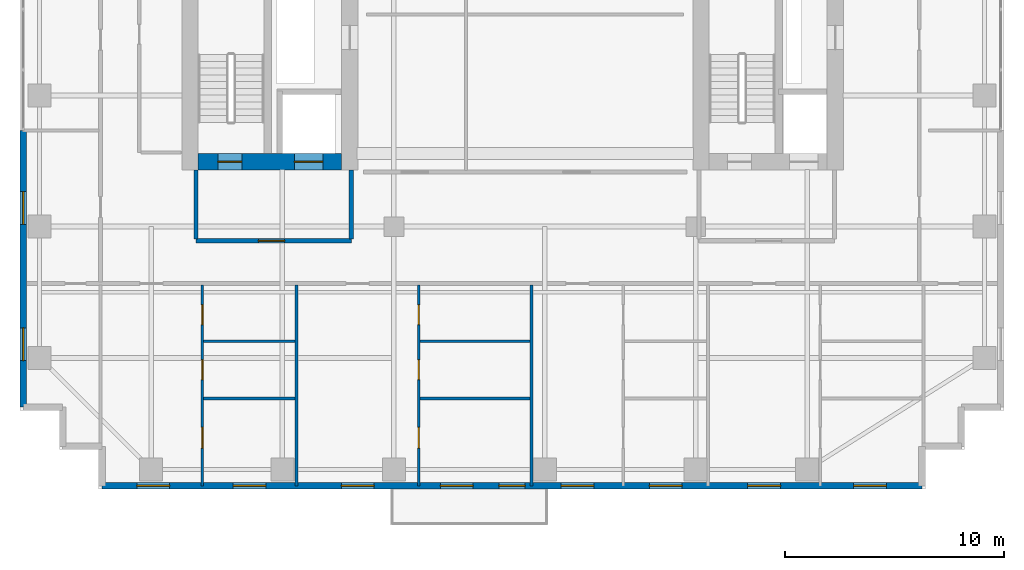
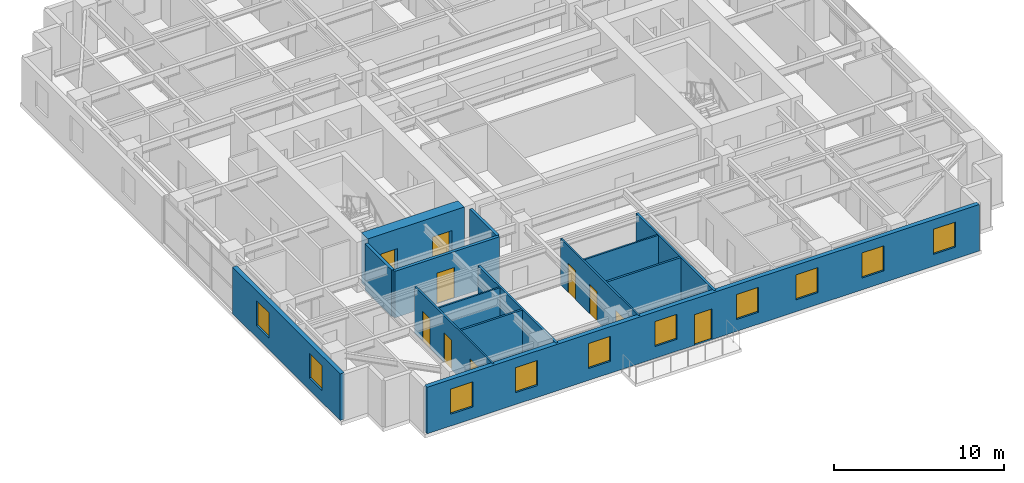
# One storey, part 8 of 15: 14 walls, 10 doors, 10 windows, 20 openings.
"""IFC4 building model written with IfcOpenShell, lengths in metres."""

from ifc_helpers import new_model, si_unit, direction, frame, frame_2d, origin, place, context, subcontext, project, spatial, rectangle, extrude, source, transform, mapped, material, layer, layer_set, type_object, element, fill, save


model = new_model("IFC4")

# Units and contexts
model_context = context("Model", 3, precision=1e-05, world=origin(), true_north=direction((0.0, 1.0)))
body_context = subcontext(model_context, "Body", "Model", "MODEL_VIEW")
ifc_project = project(units=[si_unit("LENGTHUNIT", "METRE"), si_unit("AREAUNIT", "SQUARE_METRE"), si_unit("VOLUMEUNIT", "CUBIC_METRE"), si_unit("PLANEANGLEUNIT", "RADIAN"), si_unit("MASSUNIT", "GRAM", prefix="KILO")], contexts=[model_context])

# Site, building, storey
site_placement = place(None, origin())
site = spatial("IfcSite", under=ifc_project, at=site_placement, CompositionType="ELEMENT")
building_placement = place(site_placement, origin())
building = spatial("IfcBuilding", under=site, at=building_placement, Name="Khoralis Quay Care Tower", CompositionType="ELEMENT")
storey_placement = place(building_placement, frame((0.0, 0.0, 123.300048828125)))
storey = spatial("IfcBuildingStorey", under=building, at=storey_placement, Name="L32", CompositionType="ELEMENT", Elevation=123.300048828125)

# Wall, opening, door
ifc_material_1 = material(Name="Gypsum plasterboard on acoustic metal stud")
ifc_layer_1 = layer(ifc_material_1, 0.199951171875)
ifc_layer_set_1 = layer_set([ifc_layer_1], Name="Gypsum plasterboard on acoustic metal stud")
wall_type_1 = type_object("IfcWallType", Name="WL-COMP-200", PredefinedType="PARTITIONING", material=ifc_layer_set_1)
wall_1_placement = place(storey_placement, frame((8.050048828125, 11.35009765625, 0.0), z_axis=(0.0, 0.0, 1.0), x_axis=(1.0, 0.0, 0.0)))
wall_1 = element("IfcWall", 1, at=wall_1_placement, inside=storey, type_object=wall_type_1, Name="L32 West Firefighting Lobby South Wall", PredefinedType="PARTITIONING", context=body_context, shape_type="SweptSolid", body=[
    extrude(rectangle(XDim=7.099853515625, YDim=0.199951171875, at=frame_2d((3.5498046875, 0.0))), origin(), (0.0, 0.0, 1.0), 3.33984375),
])
opening_1_placement = place(wall_1_placement, frame((2.846435546875, 0.0, 0.0)))
opening_1 = element("IfcOpeningElement", 2, at=opening_1_placement, cuts=wall_1, Name="Opening FD1", PredefinedType="OPENING", context=body_context, shape_type="SweptSolid", body=[
    extrude(rectangle(XDim=1.199951171875, YDim=2.199951171875, at=frame_2d((0.60009765625, 1.10009765625))), frame((0.0, 0.10986328125, 0.0), z_axis=(0.0, -1.0, 0.0), x_axis=(1.0, 0.0, 0.0)), (0.0, 0.0, 1.0), 0.219970703125),
])
ifc_material_2 = material(Name="Fire-rated painted steel", Category="steel")
door_type_1 = type_object("IfcDoorType", Name="DR-FFL-1200X2200", OperationType="NOTDEFINED", PredefinedType="DOOR", material=ifc_material_2)
shared_shape_1 = source(origin(), body_context, "Body", "SweptSolid", [
    extrude(rectangle(XDim=1.199951171875, YDim=2.199951171875, at=frame_2d((0.60009765625, 1.10009765625))), frame((0.0, 0.02490234375, 0.0), z_axis=(0.0, -1.0, 0.0), x_axis=(1.0, 0.0, 0.0)), (0.0, 0.0, 1.0), 0.050048828125),
])
door_1_placement = place(opening_1_placement, origin())
door_1 = element("IfcDoor", 3, at=door_1_placement, inside=storey, type_object=door_type_1, Name="L32 West Firefighting Lobby Fire Door", OperationType="SINGLE_SWING_RIGHT", OverallHeight=2.199951171875, OverallWidth=1.199951171875, PredefinedType="DOOR", context=body_context, shape_type="MappedRepresentation", body=[
    mapped(shared_shape_1, transform((0.0, 0.0, 0.0), scale=1.0)),
])
fill(opening_1, door_1)

# Walls
for number, where, z_axis, x_axis, name in (
    (4, (8.050048828125, 11.445068359375, 0.0), (0.0, 0.0, 1.0), (0.0, 1.0, 0.0), "L32 West Firefighting Lobby West Wall"),
    (5, (15.14990234375, 11.445068359375, 0.0), (0.0, 0.0, 1.0), (0.0, 1.0, 0.0), "L32 West Firefighting Lobby East Wall"),
):
    element("IfcWall", number, at=place(storey_placement, frame(where, z_axis=z_axis, x_axis=x_axis)), inside=storey, type_object=wall_type_1, Name=name, PredefinedType="PARTITIONING", context=body_context, shape_type="SweptSolid", body=[
        extrude(rectangle(XDim=3.135009765625, YDim=0.199951171875, at=frame_2d((1.5673828125, 0.0))), origin(), (0.0, 0.0, 1.0), 3.33984375),
    ])

# Wall, openings, doors
ifc_material_3 = material(Name="Concrete C80/95", Category="concrete")
ifc_layer_2 = layer(ifc_material_3, 0.75)
ifc_layer_set_2 = layer_set([ifc_layer_2], Name="Concrete C80/95")
wall_type_2 = type_object("IfcWallType", Name="WL-CORE-750", PredefinedType="SHEAR", material=ifc_layer_set_2)
wall_2_placement = place(storey_placement, frame((8.14990234375, 14.97509765625, 0.0), z_axis=(0.0, 0.0, 1.0), x_axis=(1.0, 0.0, 0.0)))
wall_2 = element("IfcWall", 6, at=wall_2_placement, inside=storey, type_object=wall_type_2, Name="L32 WCORE South Shear Wall", PredefinedType="SHEAR", context=body_context, shape_type="SweptSolid", body=[
    extrude(rectangle(XDim=6.550048828125, YDim=0.75, at=frame_2d((3.27490234375, 0.0))), origin(), (0.0, 0.0, 1.0), 3.599853515625),
])
opening_2_placement = place(wall_2_placement, frame((0.89990234375, 0.0, 0.0)))
opening_2 = element("IfcOpeningElement", 7, at=opening_2_placement, cuts=wall_2, Name="Opening SD1", PredefinedType="OPENING", context=body_context, shape_type="SweptSolid", body=[
    extrude(rectangle(XDim=1.10009765625, YDim=2.199951171875, at=frame_2d((0.550048828125, 1.10009765625))), frame((0.0, 0.385009765625, 0.0), z_axis=(0.0, -1.0, 0.0), x_axis=(1.0, 0.0, 0.0)), (0.0, 0.0, 1.0), 0.77001953125),
])
opening_3_placement = place(wall_2_placement, frame((4.39990234375, 0.0, 0.0)))
opening_3 = element("IfcOpeningElement", 8, at=opening_3_placement, cuts=wall_2, Name="Opening LD2", PredefinedType="OPENING", context=body_context, shape_type="SweptSolid", body=[
    extrude(rectangle(XDim=1.300048828125, YDim=2.199951171875, at=frame_2d((0.64990234375, 1.10009765625))), frame((0.0, 0.385009765625, 0.0), z_axis=(0.0, -1.0, 0.0), x_axis=(1.0, 0.0, 0.0)), (0.0, 0.0, 1.0), 0.77001953125),
])
door_type_2 = type_object("IfcDoorType", Name="DR-STAIR-1100X2200", OperationType="NOTDEFINED", PredefinedType="DOOR", material=ifc_material_2)
shared_shape_2 = source(origin(), body_context, "Body", "SweptSolid", [
    extrude(rectangle(XDim=1.10009765625, YDim=2.199951171875, at=frame_2d((0.550048828125, 1.10009765625))), frame((0.0, 0.02490234375, 0.0), z_axis=(0.0, -1.0, 0.0), x_axis=(1.0, 0.0, 0.0)), (0.0, 0.0, 1.0), 0.050048828125),
])
door_2_placement = place(opening_2_placement, origin())
door_2 = element("IfcDoor", 9, at=door_2_placement, inside=storey, type_object=door_type_2, Name="L32 Stair ST-T1 Fire Door", OperationType="SINGLE_SWING_RIGHT", OverallHeight=2.199951171875, OverallWidth=1.10009765625, PredefinedType="DOOR", context=body_context, shape_type="MappedRepresentation", body=[
    mapped(shared_shape_2, transform((0.0, 0.0, 0.0), scale=1.0)),
])
fill(opening_2, door_2)
ifc_material_4 = material(Name="Brushed stainless steel", Category="steel")
door_type_3 = type_object("IfcDoorType", Name="DR-LIFT-1300X2200", OperationType="SLIDING_TO_RIGHT", PredefinedType="DOOR", material=ifc_material_4)
shared_shape_3 = source(origin(), body_context, "Body", "SweptSolid", [
    extrude(rectangle(XDim=1.300048828125, YDim=2.199951171875, at=frame_2d((0.64990234375, 1.10009765625))), frame((0.0, 0.02490234375, 0.0), z_axis=(0.0, -1.0, 0.0), x_axis=(1.0, 0.0, 0.0)), (0.0, 0.0, 1.0), 0.050048828125),
])
door_3_placement = place(opening_3_placement, origin())
door_3 = element("IfcDoor", 10, at=door_3_placement, inside=storey, type_object=door_type_3, Name="L32 Firefighting Lift FFL-1 Landing Door", OperationType="SLIDING_TO_RIGHT", OverallHeight=2.199951171875, OverallWidth=1.300048828125, PredefinedType="DOOR", context=body_context, shape_type="MappedRepresentation", body=[
    mapped(shared_shape_3, transform((0.0, 0.0, 0.0), scale=1.0)),
])
fill(opening_3, door_3)

# Wall, openings, windows, door
ifc_material_5 = material(Name="Precast concrete C45/55", Category="concrete")
ifc_layer_3 = layer(ifc_material_5, 0.300048828125)
ifc_layer_set_3 = layer_set([ifc_layer_3], Name="Precast concrete C45/55")
wall_type_3 = type_object("IfcWallType", Name="WL-EXT-REF-300", PredefinedType="SOLIDWALL", material=ifc_layer_set_3)
wall_3_placement = place(storey_placement, frame((3.75, 0.14990234375, 0.0), z_axis=(0.0, 0.0, 1.0), x_axis=(1.0, 0.0, 0.0)))
wall_3 = element("IfcWall", 11, at=wall_3_placement, inside=storey, type_object=wall_type_3, Name="L32 External Facade Wall WL-EXT-L32-P1-E0", PredefinedType="SOLIDWALL", context=body_context, shape_type="SweptSolid", body=[
    extrude(rectangle(XDim=37.5, YDim=0.300048828125, at=frame_2d((18.75, 0.0))), origin(), (0.0, 0.0, 1.0), 3.33984375),
])
opening_4_placement = place(wall_3_placement, frame((1.596923828125, 0.0, 0.85009765625)))
opening_4 = element("IfcOpeningElement", 12, at=opening_4_placement, cuts=wall_3, Name="Opening W3", PredefinedType="OPENING", context=body_context, shape_type="SweptSolid", body=[
    extrude(rectangle(XDim=1.5, YDim=1.800048828125, at=frame_2d((0.75, 0.89990234375))), frame((0.0, 0.16015625, 0.0), z_axis=(0.0, -1.0, 0.0), x_axis=(1.0, 0.0, 0.0)), (0.0, 0.0, 1.0), 0.320068359375),
])
opening_5_placement = place(wall_3_placement, frame((5.9970703125, 0.0, 0.85009765625)))
opening_5 = element("IfcOpeningElement", 13, at=opening_5_placement, cuts=wall_3, Name="Opening W3", PredefinedType="OPENING", context=body_context, shape_type="SweptSolid", body=[
    extrude(rectangle(XDim=1.5, YDim=1.800048828125, at=frame_2d((0.75, 0.89990234375))), frame((0.0, 0.16015625, 0.0), z_axis=(0.0, -1.0, 0.0), x_axis=(1.0, 0.0, 0.0)), (0.0, 0.0, 1.0), 0.320068359375),
])
opening_6_placement = place(wall_3_placement, frame((10.9423828125, 0.0, 0.85009765625)))
opening_6 = element("IfcOpeningElement", 14, at=opening_6_placement, cuts=wall_3, Name="Opening W3", PredefinedType="OPENING", context=body_context, shape_type="SweptSolid", body=[
    extrude(rectangle(XDim=1.5, YDim=1.800048828125, at=frame_2d((0.75, 0.89990234375))), frame((0.0, 0.16015625, 0.0), z_axis=(0.0, -1.0, 0.0), x_axis=(1.0, 0.0, 0.0)), (0.0, 0.0, 1.0), 0.320068359375),
])
opening_7_placement = place(wall_3_placement, frame((15.472412109375, 0.0, 0.85009765625)))
opening_7 = element("IfcOpeningElement", 15, at=opening_7_placement, cuts=wall_3, Name="Opening W3", PredefinedType="OPENING", context=body_context, shape_type="SweptSolid", body=[
    extrude(rectangle(XDim=1.5, YDim=1.800048828125, at=frame_2d((0.75, 0.89990234375))), frame((0.0, 0.16015625, 0.0), z_axis=(0.0, -1.0, 0.0), x_axis=(1.0, 0.0, 0.0)), (0.0, 0.0, 1.0), 0.320068359375),
])
opening_8_placement = place(wall_3_placement, frame((20.990966796875, 0.0, 0.85009765625)))
opening_8 = element("IfcOpeningElement", 16, at=opening_8_placement, cuts=wall_3, Name="Opening W3", PredefinedType="OPENING", context=body_context, shape_type="SweptSolid", body=[
    extrude(rectangle(XDim=1.5, YDim=1.800048828125, at=frame_2d((0.75, 0.89990234375))), frame((0.0, 0.16015625, 0.0), z_axis=(0.0, -1.0, 0.0), x_axis=(1.0, 0.0, 0.0)), (0.0, 0.0, 1.0), 0.320068359375),
])
opening_9_placement = place(wall_3_placement, frame((25.031005859375, 0.0, 0.85009765625)))
opening_9 = element("IfcOpeningElement", 17, at=opening_9_placement, cuts=wall_3, Name="Opening W3", PredefinedType="OPENING", context=body_context, shape_type="SweptSolid", body=[
    extrude(rectangle(XDim=1.5, YDim=1.800048828125, at=frame_2d((0.75, 0.89990234375))), frame((0.0, 0.16015625, 0.0), z_axis=(0.0, -1.0, 0.0), x_axis=(1.0, 0.0, 0.0)), (0.0, 0.0, 1.0), 0.320068359375),
])
opening_10_placement = place(wall_3_placement, frame((29.531005859375, 0.0, 0.85009765625)))
opening_10 = element("IfcOpeningElement", 18, at=opening_10_placement, cuts=wall_3, Name="Opening W3", PredefinedType="OPENING", context=body_context, shape_type="SweptSolid", body=[
    extrude(rectangle(XDim=1.5, YDim=1.800048828125, at=frame_2d((0.75, 0.89990234375))), frame((0.0, 0.16015625, 0.0), z_axis=(0.0, -1.0, 0.0), x_axis=(1.0, 0.0, 0.0)), (0.0, 0.0, 1.0), 0.320068359375),
])
opening_11_placement = place(wall_3_placement, frame((34.37109375, 0.0, 0.85009765625)))
opening_11 = element("IfcOpeningElement", 19, at=opening_11_placement, cuts=wall_3, Name="Opening W3", PredefinedType="OPENING", context=body_context, shape_type="SweptSolid", body=[
    extrude(rectangle(XDim=1.5, YDim=1.800048828125, at=frame_2d((0.75, 0.89990234375))), frame((0.0, 0.16015625, 0.0), z_axis=(0.0, -1.0, 0.0), x_axis=(1.0, 0.0, 0.0)), (0.0, 0.0, 1.0), 0.320068359375),
])
opening_12_placement = place(wall_3_placement, frame((18.14990234375, 0.0, 0.0)))
opening_12 = element("IfcOpeningElement", 20, at=opening_12_placement, cuts=wall_3, Name="Opening BD1", PredefinedType="OPENING", context=body_context, shape_type="SweptSolid", body=[
    extrude(rectangle(XDim=1.199951171875, YDim=2.199951171875, at=frame_2d((0.60009765625, 1.10009765625))), frame((0.0, 0.16015625, 0.0), z_axis=(0.0, -1.0, 0.0), x_axis=(1.0, 0.0, 0.0)), (0.0, 0.0, 1.0), 0.320068359375),
])
ifc_material_6 = material(Name="Low-E solar-control double glazing", Category="glass")
window_type = type_object("IfcWindowType", Name="WN-CLIN-1500X1800", PartitioningType="SINGLE_PANEL", PredefinedType="WINDOW", material=ifc_material_6)
shared_shape_4 = source(origin(), body_context, "Body", "SweptSolid", [
    extrude(rectangle(XDim=1.5, YDim=1.800048828125, at=frame_2d((0.75, 0.89990234375))), frame((0.0, 0.030029296875, 0.0), z_axis=(0.0, -1.0, 0.0), x_axis=(1.0, 0.0, 0.0)), (0.0, 0.0, 1.0), 0.06005859375),
])
window_1_placement = place(opening_4_placement, origin())
window_1 = element("IfcWindow", 21, at=window_1_placement, inside=storey, type_object=window_type, Name="WN-L32-P1-E0 Facade Window 01", OverallHeight=1.800048828125, OverallWidth=1.5, PartitioningType="SINGLE_PANEL", PredefinedType="WINDOW", context=body_context, shape_type="MappedRepresentation", body=[
    mapped(shared_shape_4, transform((0.0, 0.0, 0.0), scale=1.0)),
])
fill(opening_4, window_1)
window_2_placement = place(opening_5_placement, origin())
window_2 = element("IfcWindow", 22, at=window_2_placement, inside=storey, type_object=window_type, Name="WN-L32-P1-E0 Facade Window 02", OverallHeight=1.800048828125, OverallWidth=1.5, PartitioningType="SINGLE_PANEL", PredefinedType="WINDOW", context=body_context, shape_type="MappedRepresentation", body=[
    mapped(shared_shape_4, transform((0.0, 0.0, 0.0), scale=1.0)),
])
fill(opening_5, window_2)
window_3_placement = place(opening_6_placement, origin())
window_3 = element("IfcWindow", 23, at=window_3_placement, inside=storey, type_object=window_type, Name="WN-L32-P1-E0 Facade Window 03", OverallHeight=1.800048828125, OverallWidth=1.5, PartitioningType="SINGLE_PANEL", PredefinedType="WINDOW", context=body_context, shape_type="MappedRepresentation", body=[
    mapped(shared_shape_4, transform((0.0, 0.0, 0.0), scale=1.0)),
])
fill(opening_6, window_3)
window_4_placement = place(opening_7_placement, origin())
window_4 = element("IfcWindow", 24, at=window_4_placement, inside=storey, type_object=window_type, Name="WN-L32-P1-E0 Facade Window 04", OverallHeight=1.800048828125, OverallWidth=1.5, PartitioningType="SINGLE_PANEL", PredefinedType="WINDOW", context=body_context, shape_type="MappedRepresentation", body=[
    mapped(shared_shape_4, transform((0.0, 0.0, 0.0), scale=1.0)),
])
fill(opening_7, window_4)
window_5_placement = place(opening_8_placement, origin())
window_5 = element("IfcWindow", 25, at=window_5_placement, inside=storey, type_object=window_type, Name="WN-L32-P1-E0 Facade Window 05", OverallHeight=1.800048828125, OverallWidth=1.5, PartitioningType="SINGLE_PANEL", PredefinedType="WINDOW", context=body_context, shape_type="MappedRepresentation", body=[
    mapped(shared_shape_4, transform((0.0, 0.0, 0.0), scale=1.0)),
])
fill(opening_8, window_5)
window_6_placement = place(opening_9_placement, origin())
window_6 = element("IfcWindow", 26, at=window_6_placement, inside=storey, type_object=window_type, Name="WN-L32-P1-E0 Facade Window 06", OverallHeight=1.800048828125, OverallWidth=1.5, PartitioningType="SINGLE_PANEL", PredefinedType="WINDOW", context=body_context, shape_type="MappedRepresentation", body=[
    mapped(shared_shape_4, transform((0.0, 0.0, 0.0), scale=1.0)),
])
fill(opening_9, window_6)
window_7_placement = place(opening_10_placement, origin())
window_7 = element("IfcWindow", 27, at=window_7_placement, inside=storey, type_object=window_type, Name="WN-L32-P1-E0 Facade Window 07", OverallHeight=1.800048828125, OverallWidth=1.5, PartitioningType="SINGLE_PANEL", PredefinedType="WINDOW", context=body_context, shape_type="MappedRepresentation", body=[
    mapped(shared_shape_4, transform((0.0, 0.0, 0.0), scale=1.0)),
])
fill(opening_10, window_7)
window_8_placement = place(opening_11_placement, origin())
window_8 = element("IfcWindow", 28, at=window_8_placement, inside=storey, type_object=window_type, Name="WN-L32-P1-E0 Facade Window 08", OverallHeight=1.800048828125, OverallWidth=1.5, PartitioningType="SINGLE_PANEL", PredefinedType="WINDOW", context=body_context, shape_type="MappedRepresentation", body=[
    mapped(shared_shape_4, transform((0.0, 0.0, 0.0), scale=1.0)),
])
fill(opening_11, window_8)
ifc_material_7 = material(Name="Anodised aluminium and laminated safety glass", Category="aluminium")
door_type_4 = type_object("IfcDoorType", Name="DR-EXT-BALC-1200X2200", OperationType="NOTDEFINED", PredefinedType="DOOR", material=ifc_material_7)
shared_shape_5 = source(origin(), body_context, "Body", "SweptSolid", [
    extrude(rectangle(XDim=1.199951171875, YDim=2.199951171875, at=frame_2d((0.60009765625, 1.10009765625))), frame((0.0, 0.02490234375, 0.0), z_axis=(0.0, -1.0, 0.0), x_axis=(1.0, 0.0, 0.0)), (0.0, 0.0, 1.0), 0.050048828125),
])
door_4_placement = place(opening_12_placement, frame((1.199951171875, 0.0, 0.0), z_axis=(0.0, 0.0, 1.0), x_axis=(-1.0, 0.0, 0.0)))
door_4 = element("IfcDoor", 29, at=door_4_placement, inside=storey, type_object=door_type_4, Name="L32 Senior Loggia Balcony Door", OperationType="SINGLE_SWING_LEFT", OverallHeight=2.199951171875, OverallWidth=1.199951171875, PredefinedType="DOOR", context=body_context, shape_type="MappedRepresentation", body=[
    mapped(shared_shape_5, transform((0.0, 0.0, 0.0), scale=1.0)),
])
fill(opening_12, door_4)

# Wall, openings, windows
wall_4_placement = place(storey_placement, frame((0.14990234375, 16.39990234375, 0.0), z_axis=(0.0, 0.0, 1.0), x_axis=(0.0, -1.0, 0.0)))
wall_4 = element("IfcWall", 30, at=wall_4_placement, inside=storey, type_object=wall_type_3, Name="L32 External Facade Wall WL-EXT-L32-P1-E15B", PredefinedType="SOLIDWALL", context=body_context, shape_type="SweptSolid", body=[
    extrude(rectangle(XDim=12.64990234375, YDim=0.300048828125, at=frame_2d((6.324951171875, 0.0))), origin(), (0.0, 0.0, 1.0), 3.33984375),
])
opening_13_placement = place(wall_4_placement, frame((2.800048828125, 0.0, 0.85009765625)))
opening_13 = element("IfcOpeningElement", 31, at=opening_13_placement, cuts=wall_4, Name="Opening W3", PredefinedType="OPENING", context=body_context, shape_type="SweptSolid", body=[
    extrude(rectangle(XDim=1.5, YDim=1.800048828125, at=frame_2d((0.75, 0.89990234375))), frame((0.0, 0.16015625, 0.0), z_axis=(0.0, -1.0, 0.0), x_axis=(1.0, 0.0, 0.0)), (0.0, 0.0, 1.0), 0.320068359375),
])
opening_14_placement = place(wall_4_placement, frame((9.02490234375, 0.0, 0.85009765625)))
opening_14 = element("IfcOpeningElement", 32, at=opening_14_placement, cuts=wall_4, Name="Opening W3", PredefinedType="OPENING", context=body_context, shape_type="SweptSolid", body=[
    extrude(rectangle(XDim=1.5, YDim=1.800048828125, at=frame_2d((0.75, 0.89990234375))), frame((0.0, 0.16015625, 0.0), z_axis=(0.0, -1.0, 0.0), x_axis=(1.0, 0.0, 0.0)), (0.0, 0.0, 1.0), 0.320068359375),
])
window_9_placement = place(opening_13_placement, origin())
window_9 = element("IfcWindow", 33, at=window_9_placement, inside=storey, type_object=window_type, Name="WN-L32-P1-E15B Facade Window 01", OverallHeight=1.800048828125, OverallWidth=1.5, PartitioningType="SINGLE_PANEL", PredefinedType="WINDOW", context=body_context, shape_type="MappedRepresentation", body=[
    mapped(shared_shape_4, transform((0.0, 0.0, 0.0), scale=1.0)),
])
fill(opening_13, window_9)
window_10_placement = place(opening_14_placement, origin())
window_10 = element("IfcWindow", 34, at=window_10_placement, inside=storey, type_object=window_type, Name="WN-L32-P1-E15B Facade Window 02", OverallHeight=1.800048828125, OverallWidth=1.5, PartitioningType="SINGLE_PANEL", PredefinedType="WINDOW", context=body_context, shape_type="MappedRepresentation", body=[
    mapped(shared_shape_4, transform((0.0, 0.0, 0.0), scale=1.0)),
])
fill(opening_14, window_10)

# Wall, openings, doors
ifc_layer_4 = layer(ifc_material_1, 0.114990234375)
ifc_layer_set_4 = layer_set([ifc_layer_4], Name="Gypsum plasterboard on acoustic metal stud")
wall_type_4 = type_object("IfcWallType", Name="WL-PART-115", PredefinedType="PARTITIONING", material=ifc_layer_set_4)
wall_5_placement = place(storey_placement, frame((8.343994140625, 0.14501953125, 0.0), z_axis=(0.0, 0.0, 1.0), x_axis=(0.0, 1.0, 0.0)))
wall_5 = element("IfcWall", 35, at=wall_5_placement, inside=storey, type_object=wall_type_4, Name="L32 Unit 0 Internal Wall", PredefinedType="PARTITIONING", context=body_context, shape_type="SweptSolid", body=[
    extrude(rectangle(XDim=9.177490234375, YDim=0.114990234375, at=frame_2d((4.5888671875, 0.0))), origin(), (0.0, 0.0, 1.0), 3.33984375),
])
opening_15_placement = place(wall_5_placement, frame((1.722900390625, 0.0, 0.0)))
opening_15 = element("IfcOpeningElement", 36, at=opening_15_placement, cuts=wall_5, Name="Opening ID1", PredefinedType="OPENING", context=body_context, shape_type="SweptSolid", body=[
    extrude(rectangle(XDim=0.949951171875, YDim=2.10009765625, at=frame_2d((0.47509765625, 1.050048828125))), frame((0.0, 0.0673828125, 0.0), z_axis=(0.0, -1.0, 0.0), x_axis=(1.0, 0.0, 0.0)), (0.0, 0.0, 1.0), 0.135009765625),
])
opening_16_placement = place(wall_5_placement, frame((4.85693359375, 0.0, 0.0)))
opening_16 = element("IfcOpeningElement", 37, at=opening_16_placement, cuts=wall_5, Name="Opening WD1", PredefinedType="OPENING", context=body_context, shape_type="SweptSolid", body=[
    extrude(rectangle(XDim=0.89990234375, YDim=2.10009765625, at=frame_2d((0.449951171875, 1.050048828125))), frame((0.0, 0.0673828125, 0.0), z_axis=(0.0, -1.0, 0.0), x_axis=(1.0, 0.0, 0.0)), (0.0, 0.0, 1.0), 0.135009765625),
])
opening_17_placement = place(wall_5_placement, frame((7.3740234375, 0.0, 0.0)))
opening_17 = element("IfcOpeningElement", 38, at=opening_17_placement, cuts=wall_5, Name="Opening WD1", PredefinedType="OPENING", context=body_context, shape_type="SweptSolid", body=[
    extrude(rectangle(XDim=0.89990234375, YDim=2.10009765625, at=frame_2d((0.449951171875, 1.050048828125))), frame((0.0, 0.0673828125, 0.0), z_axis=(0.0, -1.0, 0.0), x_axis=(1.0, 0.0, 0.0)), (0.0, 0.0, 1.0), 0.135009765625),
])
ifc_material_8 = material(Name="Acoustic hardwood timber", Category="wood")
door_type_5 = type_object("IfcDoorType", Name="DR-BATH-900X2100", OperationType="NOTDEFINED", PredefinedType="DOOR", material=ifc_material_8)
shared_shape_6 = source(origin(), body_context, "Body", "SweptSolid", [
    extrude(rectangle(XDim=0.89990234375, YDim=2.10009765625, at=frame_2d((0.449951171875, 1.050048828125))), frame((0.0, 0.02490234375, 0.0), z_axis=(0.0, -1.0, 0.0), x_axis=(1.0, 0.0, 0.0)), (0.0, 0.0, 1.0), 0.050048828125),
])
door_5_placement = place(opening_16_placement, frame((0.89990234375, 0.0, 0.0), z_axis=(0.0, 0.0, 1.0), x_axis=(-1.0, 0.0, 0.0)))
door_5 = element("IfcDoor", 39, at=door_5_placement, inside=storey, type_object=door_type_5, Name="L32 Apartment SB0 KIT Door", OperationType="SINGLE_SWING_RIGHT", OverallHeight=2.10009765625, OverallWidth=0.89990234375, PredefinedType="DOOR", context=body_context, shape_type="MappedRepresentation", body=[
    mapped(shared_shape_6, transform((0.0, 0.0, 0.0), scale=1.0)),
])
fill(opening_16, door_5)
door_6_placement = place(opening_17_placement, frame((0.89990234375, 0.0, 0.0), z_axis=(0.0, 0.0, 1.0), x_axis=(-1.0, 0.0, 0.0)))
door_6 = element("IfcDoor", 40, at=door_6_placement, inside=storey, type_object=door_type_5, Name="L32 Apartment SB0 BTH Door", OperationType="SINGLE_SWING_LEFT", OverallHeight=2.10009765625, OverallWidth=0.89990234375, PredefinedType="DOOR", context=body_context, shape_type="MappedRepresentation", body=[
    mapped(shared_shape_6, transform((0.0, 0.0, 0.0), scale=1.0)),
])
fill(opening_17, door_6)
door_type_6 = type_object("IfcDoorType", Name="DR-ROOM-950X2100", OperationType="NOTDEFINED", PredefinedType="DOOR", material=ifc_material_8)
shared_shape_7 = source(origin(), body_context, "Body", "SweptSolid", [
    extrude(rectangle(XDim=0.949951171875, YDim=2.10009765625, at=frame_2d((0.47509765625, 1.050048828125))), frame((0.0, 0.02490234375, 0.0), z_axis=(0.0, -1.0, 0.0), x_axis=(1.0, 0.0, 0.0)), (0.0, 0.0, 1.0), 0.050048828125),
])
door_7_placement = place(opening_15_placement, frame((0.949951171875, 0.0, 0.0), z_axis=(0.0, 0.0, 1.0), x_axis=(-1.0, 0.0, 0.0)))
door_7 = element("IfcDoor", 41, at=door_7_placement, inside=storey, type_object=door_type_6, Name="L32 Apartment SB0 BED Door", OperationType="SINGLE_SWING_LEFT", OverallHeight=2.10009765625, OverallWidth=0.949951171875, PredefinedType="DOOR", context=body_context, shape_type="MappedRepresentation", body=[
    mapped(shared_shape_7, transform((0.0, 0.0, 0.0), scale=1.0)),
])
fill(opening_15, door_7)

# Wall
wall_6_placement = place(storey_placement, frame((8.396484375, 6.76806640625, 0.0), z_axis=(0.0, 0.0, 1.0), x_axis=(1.0, 0.0, 0.0)))
element("IfcWall", 42, at=wall_6_placement, inside=storey, type_object=wall_type_4, Name="L32 Unit 0 Kitchen Wall", PredefinedType="PARTITIONING", context=body_context, shape_type="SweptSolid", body=[
    extrude(rectangle(XDim=4.1884765625, YDim=0.114990234375, at=frame_2d((2.09423828125, 0.0))), origin(), (0.0, 0.0, 1.0), 3.33984375),
])

# Wall, openings, doors
wall_7_placement = place(storey_placement, frame((18.235107421875, 0.14501953125, 0.0), z_axis=(0.0, 0.0, 1.0), x_axis=(0.0, 1.0, 0.0)))
wall_7 = element("IfcWall", 43, at=wall_7_placement, inside=storey, type_object=wall_type_4, Name="L32 Unit 1 Internal Wall", PredefinedType="PARTITIONING", context=body_context, shape_type="SweptSolid", body=[
    extrude(rectangle(XDim=9.177490234375, YDim=0.114990234375, at=frame_2d((4.5888671875, 0.0))), origin(), (0.0, 0.0, 1.0), 3.33984375),
])
opening_18_placement = place(wall_7_placement, frame((1.722900390625, 0.0, 0.0)))
opening_18 = element("IfcOpeningElement", 44, at=opening_18_placement, cuts=wall_7, Name="Opening ID1", PredefinedType="OPENING", context=body_context, shape_type="SweptSolid", body=[
    extrude(rectangle(XDim=0.949951171875, YDim=2.10009765625, at=frame_2d((0.47509765625, 1.050048828125))), frame((0.0, 0.0673828125, 0.0), z_axis=(0.0, -1.0, 0.0), x_axis=(1.0, 0.0, 0.0)), (0.0, 0.0, 1.0), 0.135009765625),
])
opening_19_placement = place(wall_7_placement, frame((4.85693359375, 0.0, 0.0)))
opening_19 = element("IfcOpeningElement", 45, at=opening_19_placement, cuts=wall_7, Name="Opening WD1", PredefinedType="OPENING", context=body_context, shape_type="SweptSolid", body=[
    extrude(rectangle(XDim=0.89990234375, YDim=2.10009765625, at=frame_2d((0.449951171875, 1.050048828125))), frame((0.0, 0.0673828125, 0.0), z_axis=(0.0, -1.0, 0.0), x_axis=(1.0, 0.0, 0.0)), (0.0, 0.0, 1.0), 0.135009765625),
])
opening_20_placement = place(wall_7_placement, frame((7.3740234375, 0.0, 0.0)))
opening_20 = element("IfcOpeningElement", 46, at=opening_20_placement, cuts=wall_7, Name="Opening WD1", PredefinedType="OPENING", context=body_context, shape_type="SweptSolid", body=[
    extrude(rectangle(XDim=0.89990234375, YDim=2.10009765625, at=frame_2d((0.449951171875, 1.050048828125))), frame((0.0, 0.0673828125, 0.0), z_axis=(0.0, -1.0, 0.0), x_axis=(1.0, 0.0, 0.0)), (0.0, 0.0, 1.0), 0.135009765625),
])
door_8_placement = place(opening_19_placement, frame((0.89990234375, 0.0, 0.0), z_axis=(0.0, 0.0, 1.0), x_axis=(-1.0, 0.0, 0.0)))
door_8 = element("IfcDoor", 47, at=door_8_placement, inside=storey, type_object=door_type_5, Name="L32 Apartment SB1 KIT Door", OperationType="SINGLE_SWING_LEFT", OverallHeight=2.10009765625, OverallWidth=0.89990234375, PredefinedType="DOOR", context=body_context, shape_type="MappedRepresentation", body=[
    mapped(shared_shape_6, transform((0.0, 0.0, 0.0), scale=1.0)),
])
fill(opening_19, door_8)
door_9_placement = place(opening_20_placement, frame((0.89990234375, 0.0, 0.0), z_axis=(0.0, 0.0, 1.0), x_axis=(-1.0, 0.0, 0.0)))
door_9 = element("IfcDoor", 48, at=door_9_placement, inside=storey, type_object=door_type_5, Name="L32 Apartment SB1 BTH Door", OperationType="SINGLE_SWING_RIGHT", OverallHeight=2.10009765625, OverallWidth=0.89990234375, PredefinedType="DOOR", context=body_context, shape_type="MappedRepresentation", body=[
    mapped(shared_shape_6, transform((0.0, 0.0, 0.0), scale=1.0)),
])
fill(opening_20, door_9)
door_10_placement = place(opening_18_placement, frame((0.949951171875, 0.0, 0.0), z_axis=(0.0, 0.0, 1.0), x_axis=(-1.0, 0.0, 0.0)))
door_10 = element("IfcDoor", 49, at=door_10_placement, inside=storey, type_object=door_type_6, Name="L32 Apartment SB1 BED Door", OperationType="SINGLE_SWING_RIGHT", OverallHeight=2.10009765625, OverallWidth=0.949951171875, PredefinedType="DOOR", context=body_context, shape_type="MappedRepresentation", body=[
    mapped(shared_shape_7, transform((0.0, 0.0, 0.0), scale=1.0)),
])
fill(opening_18, door_10)

# Walls
wall_8_placement = place(storey_placement, frame((18.28759765625, 6.76806640625, 0.0), z_axis=(0.0, 0.0, 1.0), x_axis=(1.0, 0.0, 0.0)))
element("IfcWall", 50, at=wall_8_placement, inside=storey, type_object=wall_type_4, Name="L32 Unit 1 Kitchen Wall", PredefinedType="PARTITIONING", context=body_context, shape_type="SweptSolid", body=[
    extrude(rectangle(XDim=5.037353515625, YDim=0.114990234375, at=frame_2d((2.5185546875, 0.0))), origin(), (0.0, 0.0, 1.0), 3.33984375),
])
ifc_material_9 = material(Name="Moisture-resistant gypsum and ceramic tile")
ifc_layer_5 = layer(ifc_material_9, 0.280029296875)
ifc_layer_set_5 = layer_set([ifc_layer_5], Name="Moisture-resistant gypsum and ceramic tile")
wall_type_5 = type_object("IfcWallType", Name="WL-PLUMB-280", PredefinedType="PLUMBINGWALL", material=ifc_layer_set_5)
wall_9_placement = place(storey_placement, frame((8.396484375, 4.135986328125, 0.0), z_axis=(0.0, 0.0, 1.0), x_axis=(1.0, 0.0, 0.0)))
element("IfcWall", 51, at=wall_9_placement, inside=storey, type_object=wall_type_5, Name="L32 Unit 0 Wet Wall", PredefinedType="PLUMBINGWALL", context=body_context, shape_type="SweptSolid", body=[
    extrude(rectangle(XDim=4.1884765625, YDim=0.139892578125, at=frame_2d((2.09423828125, 0.0))), origin(), (0.0, 0.0, 1.0), 3.33984375),
])
wall_10_placement = place(storey_placement, frame((18.28759765625, 4.135986328125, 0.0), z_axis=(0.0, 0.0, 1.0), x_axis=(1.0, 0.0, 0.0)))
element("IfcWall", 52, at=wall_10_placement, inside=storey, type_object=wall_type_5, Name="L32 Unit 1 Wet Wall", PredefinedType="PLUMBINGWALL", context=body_context, shape_type="SweptSolid", body=[
    extrude(rectangle(XDim=5.037353515625, YDim=0.139892578125, at=frame_2d((2.5185546875, 0.0))), origin(), (0.0, 0.0, 1.0), 3.33984375),
])
ifc_layer_6 = layer(ifc_material_1, 0.139892578125)
ifc_layer_set_6 = layer_set([ifc_layer_6], Name="Gypsum plasterboard on acoustic metal stud")
wall_type_6 = type_object("IfcWallType", Name="WL-UNIT-140", PredefinedType="PARTITIONING", material=ifc_layer_set_6)
for number, where, z_axis, x_axis, name in (
    (53, (12.64990234375, 0.14501953125, 0.0), (0.0, 0.0, 1.0), (0.0, 1.0, 0.0), "L32 SB Demising Wall 1"),
    (54, (23.389892578125, 0.14501953125, 0.0), (0.0, 0.0, 1.0), (0.0, 1.0, 0.0), "L32 SB Demising Wall 2"),
):
    element("IfcWall", number, at=place(storey_placement, frame(where, z_axis=z_axis, x_axis=x_axis)), inside=storey, type_object=wall_type_6, Name=name, PredefinedType="PARTITIONING", context=body_context, shape_type="SweptSolid", body=[
        extrude(rectangle(XDim=9.177490234375, YDim=0.139892578125, at=frame_2d((4.5888671875, 0.0))), origin(), (0.0, 0.0, 1.0), 3.33984375),
    ])

save(model, "model.ifc")
